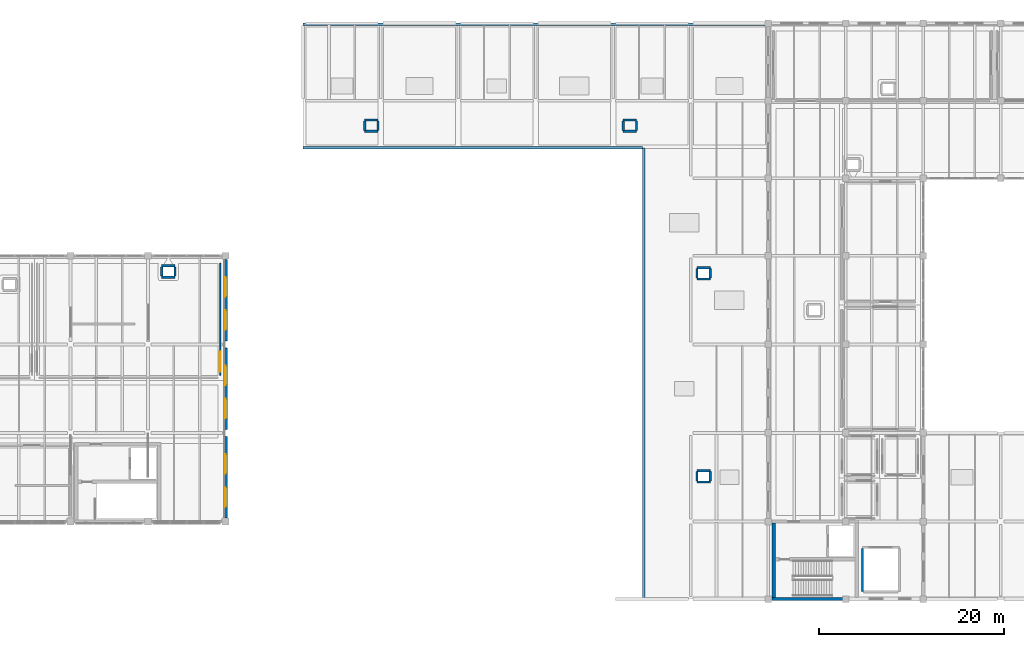
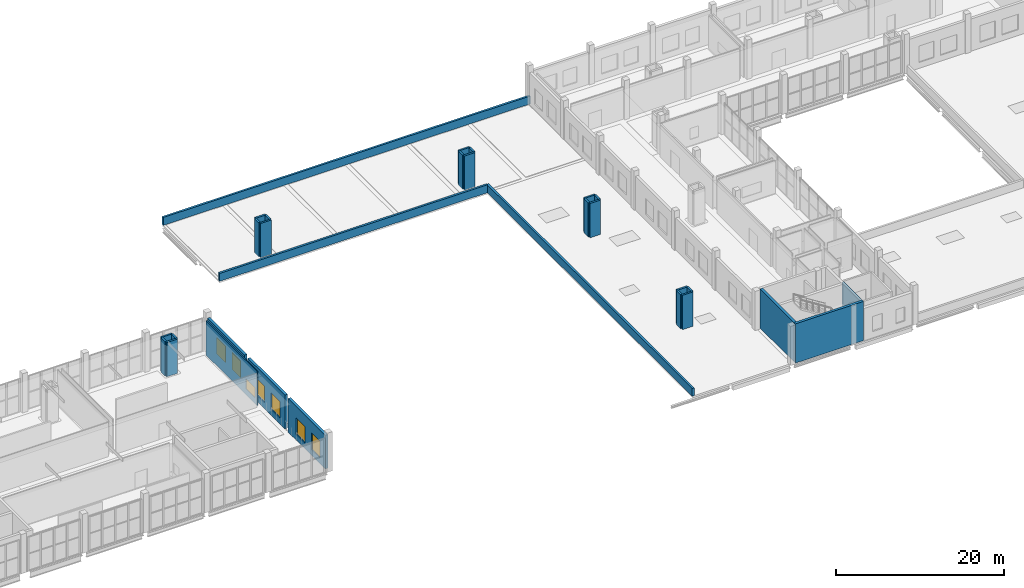
# One storey, part 39 of 49: 30 walls, 7 windows, 7 openings.
"""IFC4 building model written with IfcOpenShell, lengths in metres."""

from ifc_helpers import new_model, si_unit, direction, frame, frame_2d, origin, place, context, subcontext, project, spatial, rectangle, extrude, material, layer, layer_set, type_object, element, fill, save


model = new_model("IFC4")

# Units and contexts
model_context = context("Model", 3, precision=1e-05, world=origin(), true_north=direction((0.0, 1.0)))
body_context = subcontext(model_context, "Body", "Model", "MODEL_VIEW")
ifc_project = project(units=[si_unit("LENGTHUNIT", "METRE"), si_unit("AREAUNIT", "SQUARE_METRE"), si_unit("VOLUMEUNIT", "CUBIC_METRE"), si_unit("PLANEANGLEUNIT", "RADIAN"), si_unit("MASSUNIT", "GRAM", prefix="KILO")], contexts=[model_context])

# Site, building, storey
site_placement = place(None, origin())
site = spatial("IfcSite", under=ifc_project, at=site_placement, CompositionType="ELEMENT")
building_placement = place(site_placement, origin())
building = spatial("IfcBuilding", under=site, at=building_placement, Name="Zulmaris Art Gallery", CompositionType="ELEMENT")
storey_placement = place(building_placement, frame((0.0, 0.0, 20.699951171875)))
storey = spatial("IfcBuildingStorey", under=building, at=storey_placement, Name="L04", CompositionType="ELEMENT", Elevation=20.699951171875)

# Wall, openings, windows
ifc_material_1 = material(Name="Honed Omani Travertine Insulated Wall", Category="masonry")
ifc_layer_1 = layer(ifc_material_1, 0.360107421875)
ifc_layer_set_1 = layer_set([ifc_layer_1], Name="Honed Omani Travertine Insulated Wall")
wall_type_1 = type_object("IfcWallType", Name="ENV-WALL-EW03", PredefinedType="SOLIDWALL", material=ifc_layer_set_1)
wall_1_placement = place(storey_placement, frame((82.800048828125, 21.97705078125, 0.0), z_axis=(0.0, 0.0, 1.0), x_axis=(0.0, 1.0, 0.0)))
wall_1 = element("IfcWall", 1, at=wall_1_placement, inside=storey, type_object=wall_type_1, Name="L04 V1 East Facade (21.6..31.2)", PredefinedType="SOLIDWALL", context=body_context, shape_type="SweptSolid", body=[
    extrude(rectangle(XDim=8.843017578125, YDim=0.360107421875, at=frame_2d((4.42138671875, 0.0))), origin(), (0.0, 0.0, 1.0), 4.900146484375),
])
opening_1_placement = place(wall_1_placement, frame((1.202880859375, 0.0, 0.85009765625)))
opening_1 = element("IfcOpeningElement", 2, at=opening_1_placement, cuts=wall_1, Name="Opening W03", PredefinedType="OPENING", context=body_context, shape_type="SweptSolid", body=[
    extrude(rectangle(XDim=2.10009765625, YDim=2.39990234375, at=frame_2d((1.050048828125, 1.199951171875))), frame((0.0, 0.18994140625, 0.0), z_axis=(0.0, -1.0, 0.0), x_axis=(1.0, 0.0, 0.0)), (0.0, 0.0, 1.0), 0.380126953125),
])
opening_2_placement = place(wall_1_placement, frame((4.802978515625, 0.0, 0.85009765625)))
opening_2 = element("IfcOpeningElement", 3, at=opening_2_placement, cuts=wall_1, Name="Opening W03", PredefinedType="OPENING", context=body_context, shape_type="SweptSolid", body=[
    extrude(rectangle(XDim=2.10009765625, YDim=2.39990234375, at=frame_2d((1.050048828125, 1.199951171875))), frame((0.0, 0.18994140625, 0.0), z_axis=(0.0, -1.0, 0.0), x_axis=(1.0, 0.0, 0.0)), (0.0, 0.0, 1.0), 0.380126953125),
])
ifc_material_2 = material(Name="Double-Glazed Bronze-Framed Studio Window", Category="glass")
window_type_1 = type_object("IfcWindowType", Name="WIN-W03", PartitioningType="SINGLE_PANEL", PredefinedType="WINDOW", material=ifc_material_2)
window_1_placement = place(opening_1_placement, origin())
window_1 = element("IfcWindow", 4, at=window_1_placement, inside=storey, type_object=window_type_1, Name="L04 exterior window W03", OverallHeight=2.39990234375, OverallWidth=2.10009765625, PartitioningType="SINGLE_PANEL", PredefinedType="WINDOW", context=body_context, shape_type="SweptSolid", body=[
    extrude(rectangle(XDim=2.10009765625, YDim=2.39990234375, at=frame_2d((1.050048828125, 1.199951171875))), frame((0.0, 0.030029296875, 0.0), z_axis=(0.0, -1.0, 0.0), x_axis=(1.0, 0.0, 0.0)), (0.0, 0.0, 1.0), 0.06005859375),
])
fill(opening_1, window_1)
window_2_placement = place(opening_2_placement, origin())
window_2 = element("IfcWindow", 5, at=window_2_placement, inside=storey, type_object=window_type_1, Name="L04 exterior window W03", OverallHeight=2.39990234375, OverallWidth=2.10009765625, PartitioningType="SINGLE_PANEL", PredefinedType="WINDOW", context=body_context, shape_type="SweptSolid", body=[
    extrude(rectangle(XDim=2.10009765625, YDim=2.39990234375, at=frame_2d((1.050048828125, 1.199951171875))), frame((0.0, 0.030029296875, 0.0), z_axis=(0.0, -1.0, 0.0), x_axis=(1.0, 0.0, 0.0)), (0.0, 0.0, 1.0), 0.06005859375),
])
fill(opening_2, window_2)

wall_2_placement = place(storey_placement, frame((82.800048828125, 31.580078125, 0.0), z_axis=(0.0, 0.0, 1.0), x_axis=(0.0, 1.0, 0.0)))
wall_2 = element("IfcWall", 6, at=wall_2_placement, inside=storey, type_object=wall_type_1, Name="L04 V1 East Facade (31.2..40.8)", PredefinedType="SOLIDWALL", context=body_context, shape_type="SweptSolid", body=[
    extrude(rectangle(XDim=8.83984375, YDim=0.360107421875, at=frame_2d((4.419921875, 0.0))), origin(), (0.0, 0.0, 1.0), 4.900146484375),
])
opening_3_placement = place(wall_2_placement, frame((1.199951171875, 0.0, 0.85009765625)))
opening_3 = element("IfcOpeningElement", 7, at=opening_3_placement, cuts=wall_2, Name="Opening W03", PredefinedType="OPENING", context=body_context, shape_type="SweptSolid", body=[
    extrude(rectangle(XDim=2.10009765625, YDim=2.39990234375, at=frame_2d((1.050048828125, 1.199951171875))), frame((0.0, 0.18994140625, 0.0), z_axis=(0.0, -1.0, 0.0), x_axis=(1.0, 0.0, 0.0)), (0.0, 0.0, 1.0), 0.380126953125),
])
opening_4_placement = place(wall_2_placement, frame((4.800048828125, 0.0, 0.85009765625)))
opening_4 = element("IfcOpeningElement", 8, at=opening_4_placement, cuts=wall_2, Name="Opening W03", PredefinedType="OPENING", context=body_context, shape_type="SweptSolid", body=[
    extrude(rectangle(XDim=2.10009765625, YDim=2.39990234375, at=frame_2d((1.050048828125, 1.199951171875))), frame((0.0, 0.18994140625, 0.0), z_axis=(0.0, -1.0, 0.0), x_axis=(1.0, 0.0, 0.0)), (0.0, 0.0, 1.0), 0.380126953125),
])
window_3_placement = place(opening_3_placement, origin())
window_3 = element("IfcWindow", 9, at=window_3_placement, inside=storey, type_object=window_type_1, Name="L04 exterior window W03", OverallHeight=2.39990234375, OverallWidth=2.10009765625, PartitioningType="SINGLE_PANEL", PredefinedType="WINDOW", context=body_context, shape_type="SweptSolid", body=[
    extrude(rectangle(XDim=2.10009765625, YDim=2.39990234375, at=frame_2d((1.050048828125, 1.199951171875))), frame((0.0, 0.030029296875, 0.0), z_axis=(0.0, -1.0, 0.0), x_axis=(1.0, 0.0, 0.0)), (0.0, 0.0, 1.0), 0.06005859375),
])
fill(opening_3, window_3)
window_4_placement = place(opening_4_placement, origin())
window_4 = element("IfcWindow", 10, at=window_4_placement, inside=storey, type_object=window_type_1, Name="L04 exterior window W03", OverallHeight=2.39990234375, OverallWidth=2.10009765625, PartitioningType="SINGLE_PANEL", PredefinedType="WINDOW", context=body_context, shape_type="SweptSolid", body=[
    extrude(rectangle(XDim=2.10009765625, YDim=2.39990234375, at=frame_2d((1.050048828125, 1.199951171875))), frame((0.0, 0.030029296875, 0.0), z_axis=(0.0, -1.0, 0.0), x_axis=(1.0, 0.0, 0.0)), (0.0, 0.0, 1.0), 0.06005859375),
])
fill(opening_4, window_4)

wall_3_placement = place(storey_placement, frame((82.800048828125, 41.179931640625, 0.0), z_axis=(0.0, 0.0, 1.0), x_axis=(0.0, 1.0, 0.0)))
wall_3 = element("IfcWall", 11, at=wall_3_placement, inside=storey, type_object=wall_type_1, Name="L04 V1 East Facade (40.8..50.4)", PredefinedType="SOLIDWALL", context=body_context, shape_type="SweptSolid", body=[
    extrude(rectangle(XDim=8.843017578125, YDim=0.360107421875, at=frame_2d((4.42138671875, 0.0))), origin(), (0.0, 0.0, 1.0), 4.900146484375),
])
opening_5_placement = place(wall_3_placement, frame((1.199951171875, 0.0, 0.85009765625)))
opening_5 = element("IfcOpeningElement", 12, at=opening_5_placement, cuts=wall_3, Name="Opening W03", PredefinedType="OPENING", context=body_context, shape_type="SweptSolid", body=[
    extrude(rectangle(XDim=2.10009765625, YDim=2.39990234375, at=frame_2d((1.050048828125, 1.199951171875))), frame((0.0, 0.18994140625, 0.0), z_axis=(0.0, -1.0, 0.0), x_axis=(1.0, 0.0, 0.0)), (0.0, 0.0, 1.0), 0.380126953125),
])
opening_6_placement = place(wall_3_placement, frame((4.800048828125, 0.0, 0.85009765625)))
opening_6 = element("IfcOpeningElement", 13, at=opening_6_placement, cuts=wall_3, Name="Opening W03", PredefinedType="OPENING", context=body_context, shape_type="SweptSolid", body=[
    extrude(rectangle(XDim=2.10009765625, YDim=2.39990234375, at=frame_2d((1.050048828125, 1.199951171875))), frame((0.0, 0.18994140625, 0.0), z_axis=(0.0, -1.0, 0.0), x_axis=(1.0, 0.0, 0.0)), (0.0, 0.0, 1.0), 0.380126953125),
])
window_5_placement = place(opening_5_placement, origin())
window_5 = element("IfcWindow", 14, at=window_5_placement, inside=storey, type_object=window_type_1, Name="L04 exterior window W03", OverallHeight=2.39990234375, OverallWidth=2.10009765625, PartitioningType="SINGLE_PANEL", PredefinedType="WINDOW", context=body_context, shape_type="SweptSolid", body=[
    extrude(rectangle(XDim=2.10009765625, YDim=2.39990234375, at=frame_2d((1.050048828125, 1.199951171875))), frame((0.0, 0.030029296875, 0.0), z_axis=(0.0, -1.0, 0.0), x_axis=(1.0, 0.0, 0.0)), (0.0, 0.0, 1.0), 0.06005859375),
])
fill(opening_5, window_5)
window_6_placement = place(opening_6_placement, origin())
window_6 = element("IfcWindow", 15, at=window_6_placement, inside=storey, type_object=window_type_1, Name="L04 exterior window W03", OverallHeight=2.39990234375, OverallWidth=2.10009765625, PartitioningType="SINGLE_PANEL", PredefinedType="WINDOW", context=body_context, shape_type="SweptSolid", body=[
    extrude(rectangle(XDim=2.10009765625, YDim=2.39990234375, at=frame_2d((1.050048828125, 1.199951171875))), frame((0.0, 0.030029296875, 0.0), z_axis=(0.0, -1.0, 0.0), x_axis=(1.0, 0.0, 0.0)), (0.0, 0.0, 1.0), 0.06005859375),
])
fill(opening_6, window_6)

# Walls
ifc_material_3 = material(Name="Omani Cream Limestone Coping Parapet", Category="masonry")
ifc_layer_2 = layer(ifc_material_3, 0.280029296875)
ifc_layer_set_2 = layer_set([ifc_layer_2], Name="Omani Cream Limestone Coping Parapet")
wall_type_2 = type_object("IfcWallType", Name="ENV-WALL-PR01", PredefinedType="PARAPET", material=ifc_layer_set_2)
wall_4_placement = place(storey_placement, frame((91.199951171875, 75.5, 0.0), z_axis=(0.0, 0.0, 1.0), x_axis=(1.0, 0.0, 0.0)))
element("IfcWall", 16, at=wall_4_placement, inside=storey, type_object=wall_type_2, Name="L04 Limestone Roof Parapet 1", PredefinedType="PARAPET", context=body_context, shape_type="SweptSolid", body=[
    extrude(rectangle(XDim=50.400146484375, YDim=0.280029296875, at=frame_2d((25.2001953125, 0.0))), origin(), (0.0, 0.0, 1.0), 1.150146484375),
])
wall_5_placement = place(storey_placement, frame((91.199951171875, 62.10009765625, 0.0), z_axis=(0.0, 0.0, 1.0), x_axis=(1.0, 0.0, 0.0)))
element("IfcWall", 17, at=wall_5_placement, inside=storey, type_object=wall_type_2, Name="L04 Limestone Roof Parapet 2", PredefinedType="PARAPET", context=body_context, shape_type="SweptSolid", body=[
    extrude(rectangle(XDim=36.800048828125, YDim=0.280029296875, at=frame_2d((18.39990234375, 0.0))), origin(), (0.0, 0.0, 1.0), 1.150146484375),
])
wall_6_placement = place(storey_placement, frame((128.10009765625, 13.199951171875, 0.0), z_axis=(0.0, 0.0, 1.0), x_axis=(0.0, 1.0, 0.0)))
element("IfcWall", 18, at=wall_6_placement, inside=storey, type_object=wall_type_2, Name="L04 Limestone Roof Parapet 3", PredefinedType="PARAPET", context=body_context, shape_type="SweptSolid", body=[
    extrude(rectangle(XDim=48.900146484375, YDim=0.280029296875, at=frame_2d((24.4501953125, 0.0))), origin(), (0.0, 0.0, 1.0), 1.150146484375),
])

# Wall, opening, window
ifc_material_4 = material(Name="Light Gallery Backing Partition", Category="gypsum")
ifc_layer_3 = layer(ifc_material_4, 0.1298828125)
ifc_layer_set_3 = layer_set([ifc_layer_3], Name="Light Gallery Backing Partition")
wall_type_3 = type_object("IfcWallType", Name="IWALL-PW03", PredefinedType="PARTITIONING", material=ifc_layer_set_3)
wall_7_placement = place(storey_placement, frame((82.219970703125, 37.429931640625, 0.0), z_axis=(0.0, 0.0, 1.0), x_axis=(0.0, 1.0, 0.0)))
wall_7 = element("IfcWall", 19, at=wall_7_placement, inside=storey, type_object=wall_type_3, Name="East Skylight Contemporary Gallery E partition", PredefinedType="PARTITIONING", context=body_context, shape_type="SweptSolid", body=[
    extrude(rectangle(XDim=12.14013671875, YDim=0.1298828125, at=frame_2d((6.070068359375, 0.0))), origin(), (0.0, 0.0, 1.0), 4.97998046875),
])
opening_7_placement = place(wall_7_placement, frame((0.39990234375, 0.0, 0.89990234375)))
opening_7 = element("IfcOpeningElement", 20, at=opening_7_placement, cuts=wall_7, Name="Opening IW03", PredefinedType="OPENING", context=body_context, shape_type="SweptSolid", body=[
    extrude(rectangle(XDim=2.159912109375, YDim=1.419921875, at=frame_2d((1.080078125, 0.7099609375))), frame((0.0, 0.074951171875, 0.0), z_axis=(0.0, -1.0, 0.0), x_axis=(1.0, 0.0, 0.0)), (0.0, 0.0, 1.0), 0.14990234375),
])
ifc_material_5 = material(Name="Analytical Lab Observation Window", Category="glass")
window_type_2 = type_object("IfcWindowType", Name="IWIN-IW03", PartitioningType="SINGLE_PANEL", PredefinedType="WINDOW", material=ifc_material_5)
window_7_placement = place(opening_7_placement, origin())
window_7 = element("IfcWindow", 21, at=window_7_placement, inside=storey, type_object=window_type_2, Name="L04 interior observation window IW03", OverallHeight=1.419921875, OverallWidth=2.159912109375, PartitioningType="SINGLE_PANEL", PredefinedType="WINDOW", context=body_context, shape_type="SweptSolid", body=[
    extrude(rectangle(XDim=2.159912109375, YDim=1.419921875, at=frame_2d((1.080078125, 0.7099609375))), frame((0.0, 0.030029296875, 0.0), z_axis=(0.0, -1.0, 0.0), x_axis=(1.0, 0.0, 0.0)), (0.0, 0.0, 1.0), 0.06005859375),
])
fill(opening_7, window_7)

# Walls
ifc_material_6 = material(Name="Core Lobby Fire-Resisting Masonry Wall", Category="masonry")
ifc_layer_4 = layer(ifc_material_6, 0.235107421875)
ifc_layer_set_4 = layer_set([ifc_layer_4], Name="Core Lobby Fire-Resisting Masonry Wall")
wall_type_4 = type_object("IfcWallType", Name="IWALL-PW10", PredefinedType="PARTITIONING", material=ifc_layer_set_4)
wall_8_placement = place(storey_placement, frame((151.800048828125, 14.0, 0.0), z_axis=(0.0, 0.0, 1.0), x_axis=(0.0, 1.0, 0.0)))
element("IfcWall", 22, at=wall_8_placement, inside=storey, type_object=wall_type_4, Name="Goods Lift L04 west shaft wall", PredefinedType="PARTITIONING", context=body_context, shape_type="SweptSolid", body=[
    extrude(rectangle(XDim=4.659912109375, YDim=0.235107421875, at=frame_2d((2.330078125, 0.0))), origin(), (0.0, 0.0, 1.0), 4.97998046875),
])
ifc_material_7 = material(Name="MEP Riser & Smoke Shaft Enclosure Wall", Category="masonry")
ifc_layer_5 = layer(ifc_material_7, 0.2548828125)
ifc_layer_set_5 = layer_set([ifc_layer_5], Name="MEP Riser & Smoke Shaft Enclosure Wall")
wall_type_5 = type_object("IfcWallType", Name="IWALL-PW11", PredefinedType="PARTITIONING", material=ifc_layer_set_5)
for number, where, z_axis, x_axis, name in (
    (23, (75.860107421875, 49.320068359375, 0.0), (0.0, 0.0, 1.0), (1.0, 0.0, 0.0), "L04 MEP Riser 3 N wall"),
    (24, (75.860107421875, 48.080078125, 0.0), (0.0, 0.0, 1.0), (1.0, 0.0, 0.0), "L04 MEP Riser 3 S wall"),
):
    element("IfcWall", number, at=place(storey_placement, frame(where, z_axis=z_axis, x_axis=x_axis)), inside=storey, type_object=wall_type_5, Name=name, PredefinedType="PARTITIONING", context=body_context, shape_type="SweptSolid", body=[
        extrude(rectangle(XDim=1.47998046875, YDim=0.2548828125, at=frame_2d((0.739990234375, 0.0))), origin(), (0.0, 0.0, 1.0), 4.97998046875),
    ])
for number, where, z_axis, x_axis, name in (
    (25, (75.8798828125, 48.199951171875, 0.0), (0.0, 0.0, 1.0), (0.0, 1.0, 0.0), "L04 MEP Riser 3 W wall"),
    (26, (77.320068359375, 48.199951171875, 0.0), (0.0, 0.0, 1.0), (0.0, 1.0, 0.0), "L04 MEP Riser 3 E wall"),
):
    element("IfcWall", number, at=place(storey_placement, frame(where, z_axis=z_axis, x_axis=x_axis)), inside=storey, type_object=wall_type_5, Name=name, PredefinedType="PARTITIONING", context=body_context, shape_type="SweptSolid", body=[
        extrude(rectangle(XDim=1.0, YDim=0.2548828125, at=frame_2d((0.5, 0.0))), origin(), (0.0, 0.0, 1.0), 4.97998046875),
    ])
for number, where, z_axis, x_axis, name in (
    (27, (97.860107421875, 65.1201171875, 0.0), (0.0, 0.0, 1.0), (1.0, 0.0, 0.0), "L04 MEP Riser 9 N wall"),
    (28, (97.860107421875, 63.8798828125, 0.0), (0.0, 0.0, 1.0), (1.0, 0.0, 0.0), "L04 MEP Riser 9 S wall"),
):
    element("IfcWall", number, at=place(storey_placement, frame(where, z_axis=z_axis, x_axis=x_axis)), inside=storey, type_object=wall_type_5, Name=name, PredefinedType="PARTITIONING", context=body_context, shape_type="SweptSolid", body=[
        extrude(rectangle(XDim=1.47998046875, YDim=0.2548828125, at=frame_2d((0.739990234375, 0.0))), origin(), (0.0, 0.0, 1.0), 4.97998046875),
    ])
for number, where, z_axis, x_axis, name in (
    (29, (97.8798828125, 64.0, 0.0), (0.0, 0.0, 1.0), (0.0, 1.0, 0.0), "L04 MEP Riser 9 W wall"),
    (30, (99.320068359375, 64.0, 0.0), (0.0, 0.0, 1.0), (0.0, 1.0, 0.0), "L04 MEP Riser 9 E wall"),
):
    element("IfcWall", number, at=place(storey_placement, frame(where, z_axis=z_axis, x_axis=x_axis)), inside=storey, type_object=wall_type_5, Name=name, PredefinedType="PARTITIONING", context=body_context, shape_type="SweptSolid", body=[
        extrude(rectangle(XDim=1.0, YDim=0.2548828125, at=frame_2d((0.5, 0.0))), origin(), (0.0, 0.0, 1.0), 4.97998046875),
    ])
for number, where, z_axis, x_axis, name in (
    (31, (125.860107421875, 65.1201171875, 0.0), (0.0, 0.0, 1.0), (1.0, 0.0, 0.0), "L04 MEP Riser 10 N wall"),
    (32, (125.860107421875, 63.8798828125, 0.0), (0.0, 0.0, 1.0), (1.0, 0.0, 0.0), "L04 MEP Riser 10 S wall"),
):
    element("IfcWall", number, at=place(storey_placement, frame(where, z_axis=z_axis, x_axis=x_axis)), inside=storey, type_object=wall_type_5, Name=name, PredefinedType="PARTITIONING", context=body_context, shape_type="SweptSolid", body=[
        extrude(rectangle(XDim=1.47998046875, YDim=0.2548828125, at=frame_2d((0.739990234375, 0.0))), origin(), (0.0, 0.0, 1.0), 4.97998046875),
    ])
for number, where, z_axis, x_axis, name in (
    (33, (125.8798828125, 64.0, 0.0), (0.0, 0.0, 1.0), (0.0, 1.0, 0.0), "L04 MEP Riser 10 W wall"),
    (34, (127.320068359375, 64.0, 0.0), (0.0, 0.0, 1.0), (0.0, 1.0, 0.0), "L04 MEP Riser 10 E wall"),
):
    element("IfcWall", number, at=place(storey_placement, frame(where, z_axis=z_axis, x_axis=x_axis)), inside=storey, type_object=wall_type_5, Name=name, PredefinedType="PARTITIONING", context=body_context, shape_type="SweptSolid", body=[
        extrude(rectangle(XDim=1.0, YDim=0.2548828125, at=frame_2d((0.5, 0.0))), origin(), (0.0, 0.0, 1.0), 4.97998046875),
    ])
for number, where, z_axis, x_axis, name in (
    (35, (133.860107421875, 27.1201171875, 0.0), (0.0, 0.0, 1.0), (1.0, 0.0, 0.0), "L04 MEP Riser 11 N wall"),
    (36, (133.860107421875, 25.8798828125, 0.0), (0.0, 0.0, 1.0), (1.0, 0.0, 0.0), "L04 MEP Riser 11 S wall"),
):
    element("IfcWall", number, at=place(storey_placement, frame(where, z_axis=z_axis, x_axis=x_axis)), inside=storey, type_object=wall_type_5, Name=name, PredefinedType="PARTITIONING", context=body_context, shape_type="SweptSolid", body=[
        extrude(rectangle(XDim=1.47998046875, YDim=0.2548828125, at=frame_2d((0.739990234375, 0.0))), origin(), (0.0, 0.0, 1.0), 4.97998046875),
    ])
for number, where, z_axis, x_axis, name in (
    (37, (133.8798828125, 26.0, 0.0), (0.0, 0.0, 1.0), (0.0, 1.0, 0.0), "L04 MEP Riser 11 W wall"),
    (38, (135.320068359375, 26.0, 0.0), (0.0, 0.0, 1.0), (0.0, 1.0, 0.0), "L04 MEP Riser 11 E wall"),
):
    element("IfcWall", number, at=place(storey_placement, frame(where, z_axis=z_axis, x_axis=x_axis)), inside=storey, type_object=wall_type_5, Name=name, PredefinedType="PARTITIONING", context=body_context, shape_type="SweptSolid", body=[
        extrude(rectangle(XDim=1.0, YDim=0.2548828125, at=frame_2d((0.5, 0.0))), origin(), (0.0, 0.0, 1.0), 4.97998046875),
    ])
for number, where, z_axis, x_axis, name in (
    (39, (133.860107421875, 49.1201171875, 0.0), (0.0, 0.0, 1.0), (1.0, 0.0, 0.0), "L04 MEP Riser 12 N wall"),
    (40, (133.860107421875, 47.8798828125, 0.0), (0.0, 0.0, 1.0), (1.0, 0.0, 0.0), "L04 MEP Riser 12 S wall"),
):
    element("IfcWall", number, at=place(storey_placement, frame(where, z_axis=z_axis, x_axis=x_axis)), inside=storey, type_object=wall_type_5, Name=name, PredefinedType="PARTITIONING", context=body_context, shape_type="SweptSolid", body=[
        extrude(rectangle(XDim=1.47998046875, YDim=0.2548828125, at=frame_2d((0.739990234375, 0.0))), origin(), (0.0, 0.0, 1.0), 4.97998046875),
    ])
for number, where, z_axis, x_axis, name in (
    (41, (133.8798828125, 48.0, 0.0), (0.0, 0.0, 1.0), (0.0, 1.0, 0.0), "L04 MEP Riser 12 W wall"),
    (42, (135.320068359375, 48.0, 0.0), (0.0, 0.0, 1.0), (0.0, 1.0, 0.0), "L04 MEP Riser 12 E wall"),
):
    element("IfcWall", number, at=place(storey_placement, frame(where, z_axis=z_axis, x_axis=x_axis)), inside=storey, type_object=wall_type_5, Name=name, PredefinedType="PARTITIONING", context=body_context, shape_type="SweptSolid", body=[
        extrude(rectangle(XDim=1.0, YDim=0.2548828125, at=frame_2d((0.5, 0.0))), origin(), (0.0, 0.0, 1.0), 4.97998046875),
    ])
ifc_material_8 = material(Name="Concrete C50/60", Category="concrete")
ifc_layer_6 = layer(ifc_material_8, 0.35009765625)
ifc_layer_set_6 = layer_set([ifc_layer_6], Name="Concrete C50/60")
wall_type_6 = type_object("IfcWallType", Name="STR-WALL-SW01", PredefinedType="SHEAR", material=ifc_layer_set_6)
wall_9_placement = place(storey_placement, frame((151.375, 13.199951171875, 0.0), z_axis=(0.0, 0.0, 1.0), x_axis=(-1.0, 0.0, 0.0)))
element("IfcWall", 43, at=wall_9_placement, inside=storey, type_object=wall_type_6, Name="Core C3 L04 S shear wall", PredefinedType="SHEAR", context=body_context, shape_type="SweptSolid", body=[
    extrude(rectangle(XDim=9.35009765625, YDim=0.35009765625, at=frame_2d((4.675048828125, 0.0))), origin(), (0.0, 0.0, 1.0), 5.699951171875),
])
wall_10_placement = place(storey_placement, frame((142.199951171875, 13.375, 0.0), z_axis=(0.0, 0.0, 1.0), x_axis=(0.0, 1.0, 0.0)))
element("IfcWall", 44, at=wall_10_placement, inside=storey, type_object=wall_type_6, Name="Core C3 L04 W shear wall", PredefinedType="SHEAR", context=body_context, shape_type="SweptSolid", body=[
    extrude(rectangle(XDim=8.050048828125, YDim=0.35009765625, at=frame_2d((4.02490234375, 0.0))), origin(), (0.0, 0.0, 1.0), 5.699951171875),
])

save(model, "model.ifc")
